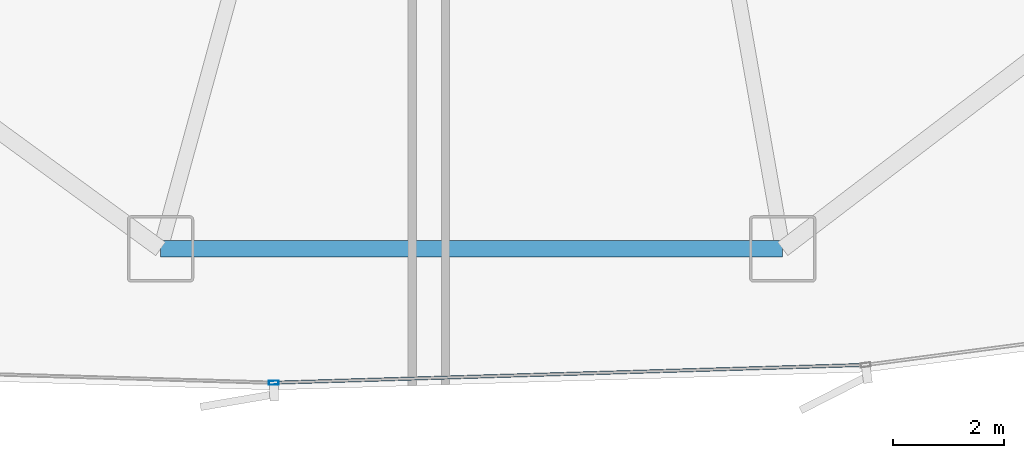
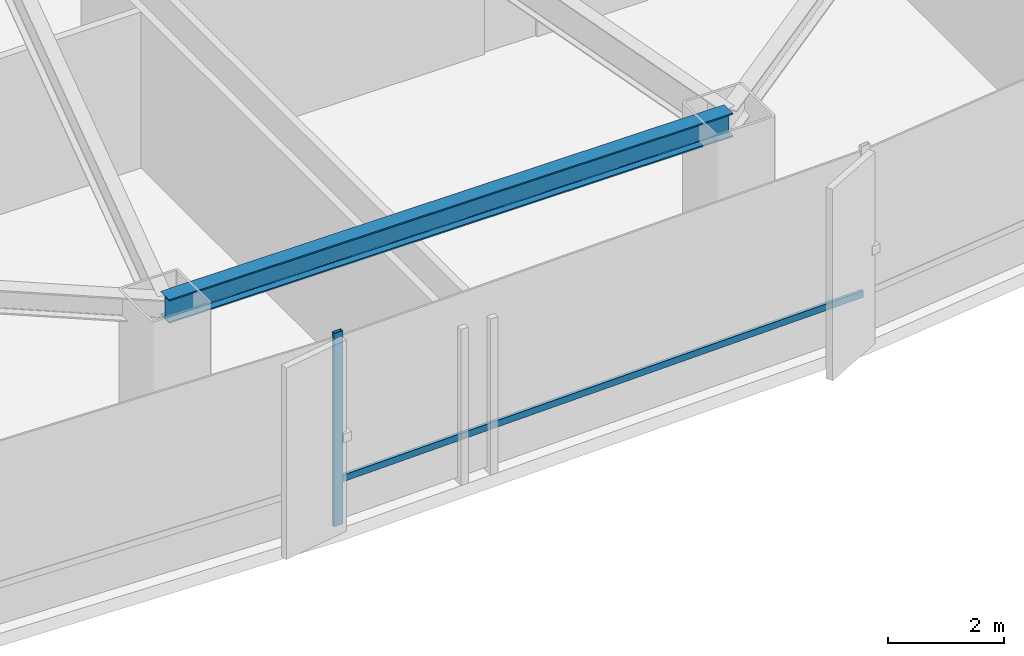
# One storey, part 6 of 34: 2 members, 1 beam, 1 element without a shape of its own.
"""IFC4 building model written with IfcOpenShell, lengths in metres."""

import ifcopenshell
import ifcopenshell.guid

model = None  # the IFC model being written
_history = None  # IfcOwnerHistory: only IFC2X3 demands one
_inside = {}  # id of a spatial element -> (the spatial element, [elements in it])
_under = {}  # id of a project, library or spatial element -> (it, [spatial elements below it])
_declared = {}  # id of a project -> (the project, [libraries it declares])
_typed = {}  # id of a type object -> (the type object, [elements of that type])
_made_of = {}  # id of a material, layer set ... -> (it, [elements and type objects made of it])


def new_model(schema):
    """Start an empty IFC model of exactly this schema.

    Asked for "IFC4X3", IfcOpenShell would pick the latest addendum, in which some entities
    have other attributes; the version numbers below select the first issue.
    IFC2X3 requires an IfcOwnerHistory on every rooted entity: one is made here for all.
    """
    global model, _history
    if schema == "IFC4X3":
        model = ifcopenshell.file(schema_version=(4, 3, 0, 0))
    else:
        model = ifcopenshell.file(schema=schema)
    _inside.clear()
    _under.clear()
    _declared.clear()
    _typed.clear()
    _made_of.clear()
    _history = None
    if model.schema == "IFC2X3":
        org = make("IfcOrganization", Name="unknown")
        user = make(
            "IfcPersonAndOrganization",
            ThePerson=make("IfcPerson", FamilyName="unknown"),
            TheOrganization=org,
        )
        app = make(
            "IfcApplication",
            ApplicationDeveloper=org,
            Version="unknown",
            ApplicationFullName="unknown",
            ApplicationIdentifier="unknown",
        )
        _history = make(
            "IfcOwnerHistory",
            OwningUser=user,
            OwningApplication=app,
            ChangeAction="ADDED",
            CreationDate=0,
        )
    return model


def make(cls, **values):
    """One entity of the class cls with the attributes given. An attribute that is None is left unset."""
    return model.create_entity(
        cls, **{name: value for name, value in values.items() if value is not None}
    )


def rooted(cls, **values):
    """An entity with a GlobalId (a new one), such as an element, a storey or a relation."""
    return make(cls, GlobalId=ifcopenshell.guid.new(), OwnerHistory=_history, **values)


def si_unit(unit_type, name, prefix=None):
    """IfcSIUnit, for example si_unit("LENGTHUNIT", "METRE", prefix="MILLI")."""
    return make("IfcSIUnit", UnitType=unit_type, Prefix=prefix, Name=name)


def assignment(units):
    """IfcUnitAssignment: the units of a project."""
    return None if units is None else make("IfcUnitAssignment", Units=units)


def point(xyz):
    """IfcCartesianPoint."""
    return None if xyz is None else make("IfcCartesianPoint", Coordinates=xyz)


def direction(xyz):
    """IfcDirection."""
    return None if xyz is None else make("IfcDirection", DirectionRatios=xyz)


def frame(location, z_axis=None, x_axis=None):
    """IfcAxis2Placement3D, a coordinate frame: its origin and axes. An axis left out is left unset."""
    return make(
        "IfcAxis2Placement3D",
        Location=point(location),
        Axis=direction(z_axis),
        RefDirection=direction(x_axis),
    )


def frame_2d(location, x_axis=None):
    """IfcAxis2Placement2D, a coordinate frame in the plane: its origin and x axis."""
    return make(
        "IfcAxis2Placement2D", Location=point(location), RefDirection=direction(x_axis)
    )


def origin():
    """The frame at (0, 0, 0) with its axes left unset."""
    return frame((0.0, 0.0, 0.0))


def origin_2d():
    """The frame at (0, 0) in the plane with its x axis left unset."""
    return frame_2d((0.0, 0.0))


def place(relative_to, where):
    """IfcLocalPlacement: puts the frame where relative to a parent placement (None: the world)."""
    return make(
        "IfcLocalPlacement", PlacementRelTo=relative_to, RelativePlacement=where
    )


def context(
    kind, dimensions, precision=None, world=None, true_north=None, identifier=None
):
    """IfcGeometricRepresentationContext, for example the 3D "Model" context."""
    return make(
        "IfcGeometricRepresentationContext",
        ContextIdentifier=identifier,
        ContextType=kind,
        CoordinateSpaceDimension=dimensions,
        Precision=precision,
        WorldCoordinateSystem=world,
        TrueNorth=true_north,
    )


def subcontext(parent, identifier, kind, view, scale=None):
    """IfcGeometricRepresentationSubContext, for example "Body" below "Model"."""
    return make(
        "IfcGeometricRepresentationSubContext",
        ContextIdentifier=identifier,
        ContextType=kind,
        ParentContext=parent,
        TargetScale=scale,
        TargetView=view,
    )


def project(units=None, contexts=None):
    """IfcProject with its units and contexts."""
    return rooted(
        "IfcProject",
        Name="project",
        RepresentationContexts=contexts,
        UnitsInContext=assignment(units),
    )


def spatial(cls, under=None, at=None, **own):
    """A site, building, storey or space (cls), placed at a placement, below another one or the project."""
    s = rooted(cls, ObjectPlacement=at, **own)
    if under is not None:
        _under.setdefault(under.id(), (under, []))[1].append(s)
    return s


def profile(cls, at=None, kind="AREA", **sizes):
    """A parametric profile (cls). Its sizes go by their IFC names, for example OverallWidth=200.0."""
    return make(cls, ProfileType=kind, Position=at, **sizes)


def hollow_rectangle(**sizes):
    """IfcRectangleHollowProfileDef."""
    return profile("IfcRectangleHollowProfileDef", **sizes)


def i_section(**sizes):
    """IfcIShapeProfileDef."""
    return profile("IfcIShapeProfileDef", **sizes)


def extrude(swept, where, along, depth):
    """IfcExtrudedAreaSolid: the profile swept, set in the frame where, extruded along a direction by depth."""
    return make(
        "IfcExtrudedAreaSolid",
        SweptArea=swept,
        Position=where,
        ExtrudedDirection=direction(along),
        Depth=depth,
    )


def shape(context_of_items, identifier, shape_type, items):
    """IfcShapeRepresentation: the items that make up one representation, for example the "Body"."""
    return make(
        "IfcShapeRepresentation",
        ContextOfItems=context_of_items,
        RepresentationIdentifier=identifier,
        RepresentationType=shape_type,
        Items=items,
    )


def source(mapping_origin, context_of_items, identifier, shape_type, items):
    """IfcRepresentationMap: a shape defined once, which mapped items show again and again."""
    return make(
        "IfcRepresentationMap",
        MappingOrigin=mapping_origin,
        MappedRepresentation=shape(context_of_items, identifier, shape_type, items),
    )


def transform(
    local_origin,
    x_axis=None,
    y_axis=None,
    z_axis=None,
    scale=None,
    scale2=None,
    scale3=None,
    uniform=True,
):
    """IfcCartesianTransformationOperator3D, or its non-uniform kind. x_axis, y_axis, z_axis: its Axis1, 2, 3."""
    if uniform:
        return make(
            "IfcCartesianTransformationOperator3D",
            Axis1=direction(x_axis),
            Axis2=direction(y_axis),
            LocalOrigin=point(local_origin),
            Scale=scale,
            Axis3=direction(z_axis),
        )
    return make(
        "IfcCartesianTransformationOperator3DnonUniform",
        Axis1=direction(x_axis),
        Axis2=direction(y_axis),
        LocalOrigin=point(local_origin),
        Scale=scale,
        Axis3=direction(z_axis),
        Scale2=scale2,
        Scale3=scale3,
    )


def mapped(mapping_source, mapping_target):
    """IfcMappedItem: shows the shape of a source again, moved by a transform."""
    return make(
        "IfcMappedItem", MappingSource=mapping_source, MappingTarget=mapping_target
    )


def material(Name=None, Category=None):
    """IfcMaterial."""
    return make("IfcMaterial", Name=Name, Category=Category)


def layer(
    of_material, thickness, ventilated=None, Name=None, Category=None, Priority=None
):
    """IfcMaterialLayer: one layer of a wall or slab, of a material (None: an air gap)."""
    return make(
        "IfcMaterialLayer",
        Material=of_material,
        LayerThickness=thickness,
        IsVentilated=ventilated,
        Name=Name,
        Category=Category,
        Priority=Priority,
    )


def layer_set(layers, Name=None):
    """IfcMaterialLayerSet."""
    return make("IfcMaterialLayerSet", MaterialLayers=layers, LayerSetName=Name)


def material_profile(
    of_material, cross_section, Name=None, Category=None, Priority=None
):
    """IfcMaterialProfile: a cross section and its material."""
    return make(
        "IfcMaterialProfile",
        Name=Name,
        Material=of_material,
        Profile=cross_section,
        Priority=Priority,
        Category=Category,
    )


def profile_set(profiles, Name=None, composite=None):
    """IfcMaterialProfileSet."""
    return make(
        "IfcMaterialProfileSet",
        Name=Name,
        MaterialProfiles=profiles,
        CompositeProfile=composite,
    )


def made_of(thing, what):
    """Note that an element or type object is made of a material, layer set ...; save() writes the relation."""
    if what is not None:
        _made_of.setdefault(what.id(), (what, []))[1].append(thing)
    return thing


def type_object(cls, material=None, **own):
    """A type object (cls), such as IfcWallType, which elements share."""
    return made_of(rooted(cls, **own), material)


def element(
    cls,
    number,
    at=None,
    inside=None,
    cuts=None,
    type_object=None,
    material=None,
    context=None,
    identifier="Body",
    shape_type=None,
    held_by="IfcProductDefinitionShape",
    body=None,
    shapes=None,
    **own,
):
    """One element of the class cls, such as IfcWall. Its Tag is "e" and its number.

    at: its placement. inside: the storey or other place that contains it. cuts: it is an
    opening in that element (IfcRelVoidsElement). A single representation is given by context,
    identifier, shape_type and body (its items); several are given by shapes. held_by: the class
    of the entity that holds the representations. save() writes the other relations.
    """
    e = rooted(cls, Tag="e%d" % number, ObjectPlacement=at, **own)
    if body is not None:
        shapes = [shape(context, identifier, shape_type, body)]
    if shapes is not None:
        e.Representation = make(held_by, Representations=shapes)
    if inside is not None:
        _inside.setdefault(inside.id(), (inside, []))[1].append(e)
    if cuts is not None:
        rooted(
            "IfcRelVoidsElement", RelatingBuildingElement=cuts, RelatedOpeningElement=e
        )
    if type_object is not None:
        _typed.setdefault(type_object.id(), (type_object, []))[1].append(e)
    return made_of(e, material)


def aggregate(whole, parts):
    """IfcRelAggregates: a whole, such as a stair, and the parts it consists of."""
    return rooted("IfcRelAggregates", RelatingObject=whole, RelatedObjects=parts)


def save(model, path):
    """Write the relations noted so far, then the file.

    IfcRelAggregates (storeys below a building ...), IfcRelContainedInSpatialStructure (elements
    in a storey), IfcRelDefinesByType, IfcRelAssociatesMaterial and IfcRelDeclares: one each for
    every whole, place, type object, material and project.
    """
    for whole, parts in _under.values():
        aggregate(whole, parts)
    for where, things in _inside.values():
        rooted(
            "IfcRelContainedInSpatialStructure",
            RelatedElements=things,
            RelatingStructure=where,
        )
    for kind, things in _typed.values():
        rooted("IfcRelDefinesByType", RelatedObjects=things, RelatingType=kind)
    for what, things in _made_of.values():
        rooted("IfcRelAssociatesMaterial", RelatedObjects=things, RelatingMaterial=what)
    for by, libraries in _declared.values():
        rooted("IfcRelDeclares", RelatingContext=by, RelatedDefinitions=libraries)
    model.write(path)


model = new_model("IFC4")

# Units and contexts
model_context = context("Model", 3, precision=1e-05, world=origin(), true_north=direction((0.0, 1.0)))
body_context = subcontext(model_context, "Body", "Model", "MODEL_VIEW")
ifc_project = project(units=[si_unit("LENGTHUNIT", "METRE"), si_unit("AREAUNIT", "SQUARE_METRE"), si_unit("VOLUMEUNIT", "CUBIC_METRE"), si_unit("PLANEANGLEUNIT", "RADIAN"), si_unit("MASSUNIT", "GRAM", prefix="KILO"), si_unit("THERMODYNAMICTEMPERATUREUNIT", "KELVIN")], contexts=[model_context])

# Site, building, storey
site_placement = place(None, origin())
site = spatial("IfcSite", under=ifc_project, at=site_placement, CompositionType="ELEMENT")
building_placement = place(site_placement, origin())
building = spatial("IfcBuilding", under=site, at=building_placement, Name="Kethvar Cultural Tower", CompositionType="ELEMENT")
storey_placement = place(building_placement, frame((0.0, 0.0, 19.60009765625)))
storey = spatial("IfcBuildingStorey", under=building, at=storey_placement, Name="L04", CompositionType="ELEMENT", Elevation=19.60009765625)

# Beam
ifc_material_1 = material(Name="Steel S355J2", Category="steel")
ifc_material_profile_1 = material_profile(ifc_material_1, i_section(OverallWidth=0.300048828125, OverallDepth=0.5, WebThickness=0.014404296875, FlangeThickness=0.028076171875, FilletRadius=0.027099609375, at=origin_2d()), Name="Steel S355J2 — HEB500")
ifc_profile_set_1 = profile_set([ifc_material_profile_1], Name="Steel S355J2 — HEB500")
beam_type = type_object("IfcBeamType", Name="BM-SP500", PredefinedType="SPANDREL", material=ifc_profile_set_1)
shared_shape_1 = source(origin(), body_context, "Body", "SweptSolid", [
    extrude(i_section(OverallWidth=0.300048828125, OverallDepth=0.5, WebThickness=0.014404296875, FlangeThickness=0.028076171875, FilletRadius=0.027099609375, at=origin_2d()), origin(), (0.0, 0.0, 1.0), 11.25),
])
beam_placement = place(storey_placement, frame((39.949951171875, 2.75, 3.827880859375), z_axis=(1.0, 0.0, 0.0), x_axis=(0.0, 1.0, 0.0)))
element("IfcBeam", 1, at=beam_placement, inside=storey, type_object=beam_type, Name="L04 Podium Ring Beam 12", PredefinedType="SPANDREL", context=body_context, shape_type="MappedRepresentation", body=[
    mapped(shared_shape_1, transform((0.0, 0.0, 0.0), scale=1.0)),
])

# Curtain wall, members
ifc_material_2 = material(Name="Aluminium 6063-T6", Category="aluminium")
ifc_layer = layer(ifc_material_2, 0.179931640625, Name="Aluminium 6063-T6", Category="aluminium")
ifc_layer_set = layer_set([ifc_layer], Name="Aluminium 6063-T6 (180 mm)")
curtain_wall_type = type_object("IfcCurtainWallType", Name="CW-SYS-01-POD", PredefinedType="NOTDEFINED", material=ifc_layer_set)
curtain_wall_placement = place(storey_placement, origin())
curtain_wall = element("IfcCurtainWall", 2, at=curtain_wall_placement, inside=storey, type_object=curtain_wall_type, Name="L04 Curtain Wall Run 05", PredefinedType="NOTDEFINED")
ifc_material_profile_2 = material_profile(ifc_material_2, hollow_rectangle(XDim=0.06005859375, YDim=0.139892578125, WallThickness=0.0048828125, at=origin_2d()), Name="Aluminium 6063-T6 — RHS140x60x5")
ifc_profile_set_2 = profile_set([ifc_material_profile_2], Name="Aluminium 6063-T6 — RHS140x60x5")
member_type_1 = type_object("IfcMemberType", Name="CW-SYS-01-POD-TRN", PredefinedType="USERDEFINED", material=ifc_profile_set_2)
shared_shape_2 = source(origin(), body_context, "Body", "SweptSolid", [
    extrude(hollow_rectangle(XDim=0.06005859375, YDim=0.139892578125, WallThickness=0.0048828125, at=origin_2d()), origin(), (0.0, 0.0, 1.0), 10.61279296875),
])
member_1_placement = place(storey_placement, frame((42.050048828125, 0.33154296875, 0.949951171875), z_axis=(0.999545810513, 0.030135903608, 0.0), x_axis=(-0.030135903608, 0.999545810513, 0.0)))
member_1 = element("IfcMember", 3, at=member_1_placement, type_object=member_type_1, Name="CW-L04-R05 Transom 2", ObjectType="TRANSOM", PredefinedType="USERDEFINED", context=body_context, shape_type="MappedRepresentation", body=[
    mapped(shared_shape_2, transform((0.0, 0.0, 0.0), scale=1.0)),
])
ifc_material_profile_3 = material_profile(ifc_material_2, hollow_rectangle(XDim=0.074951171875, YDim=0.179931640625, WallThickness=0.006103515625, at=origin_2d()), Name="Aluminium 6063-T6 — RHS180x75x6")
ifc_profile_set_3 = profile_set([ifc_material_profile_3], Name="Aluminium 6063-T6 — RHS180x75x6")
member_type_2 = type_object("IfcMemberType", Name="CW-SYS-01-POD-MUL", PredefinedType="MULLION", material=ifc_profile_set_3)
shared_shape_3 = source(origin(), body_context, "Body", "SweptSolid", [
    extrude(hollow_rectangle(XDim=0.074951171875, YDim=0.179931640625, WallThickness=0.006103515625, at=origin_2d()), origin(), (0.0, 0.0, 1.0), 4.079833984375),
])
member_2_placement = place(storey_placement, frame((41.99609375, 0.329833984375, 0.0), z_axis=(0.0, 0.0, 1.0), x_axis=(-0.030137272261, 0.999545769248, 0.0)))
member_2 = element("IfcMember", 4, at=member_2_placement, type_object=member_type_2, Name="CW-L04-R05 Mullion 2", PredefinedType="MULLION", context=body_context, shape_type="MappedRepresentation", body=[
    mapped(shared_shape_3, transform((0.0, 0.0, 0.0), scale=1.0)),
])
aggregate(curtain_wall, [member_2, member_1])

save(model, "model.ifc")
